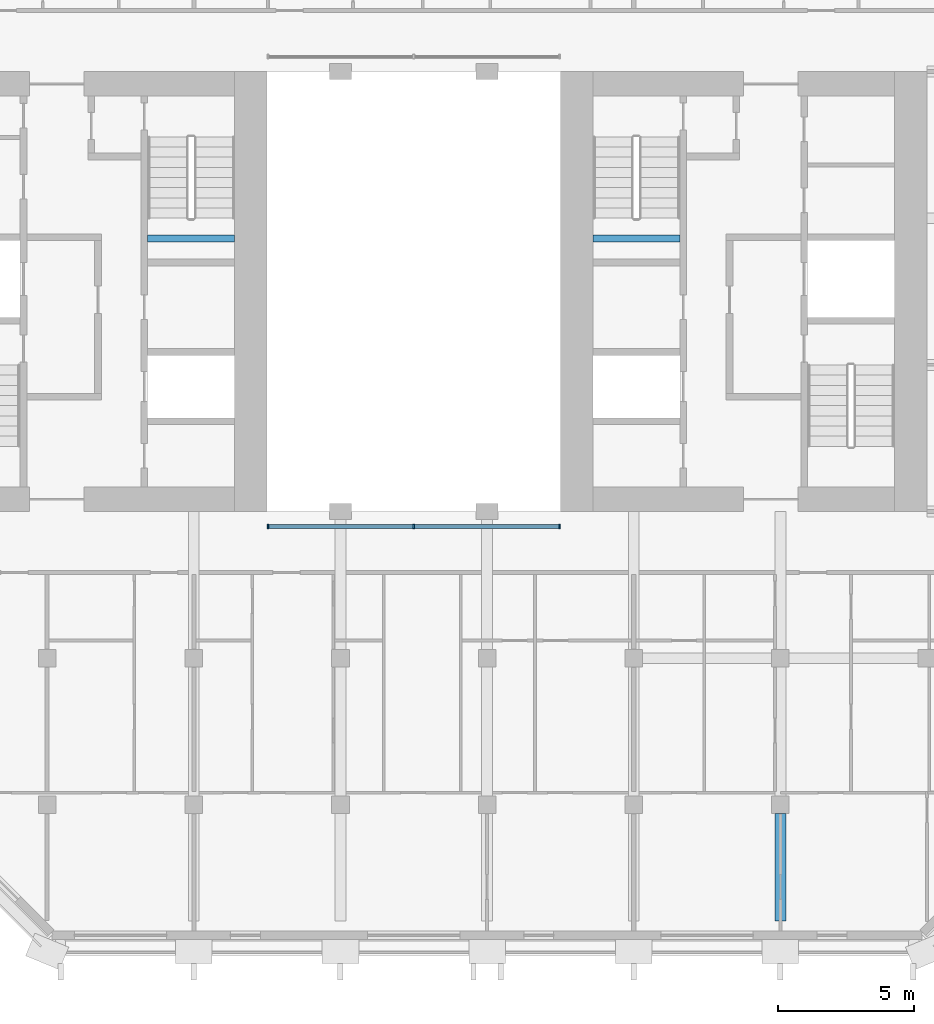
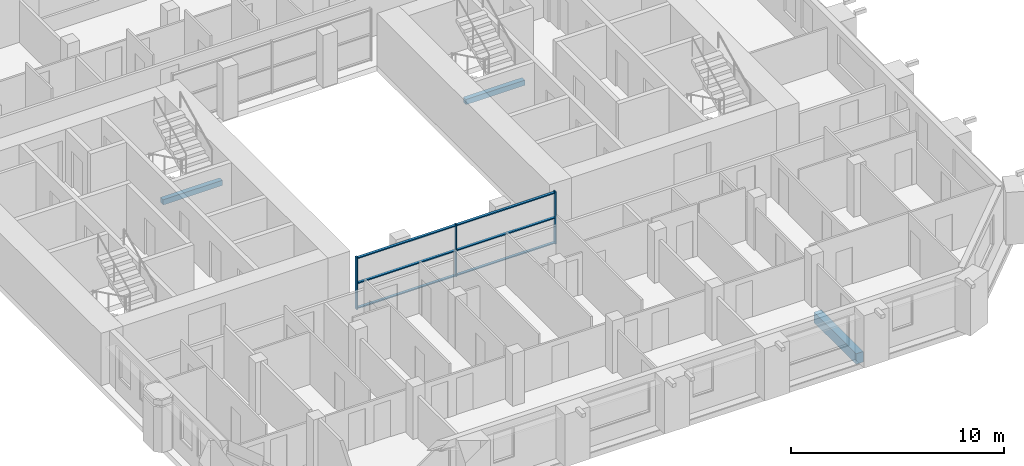
# One storey, part 2 of 14: 9 members, 3 beams, 1 element without a shape of its own.
"""IFC4 building model written with IfcOpenShell, lengths in metres."""

from ifc_helpers import new_model, si_unit, direction, frame, origin, origin_2d, place, context, subcontext, project, spatial, rectangle, extrude, material, material_profile, profile_set, type_object, element, aggregate, save


model = new_model("IFC4")

# Units and contexts
model_context = context("Model", 3, precision=1e-05, world=origin(), true_north=direction((0.0, 1.0)))
body_context = subcontext(model_context, "Body", "Model", "MODEL_VIEW")
ifc_project = project(units=[si_unit("LENGTHUNIT", "METRE"), si_unit("AREAUNIT", "SQUARE_METRE"), si_unit("VOLUMEUNIT", "CUBIC_METRE"), si_unit("PLANEANGLEUNIT", "RADIAN"), si_unit("MASSUNIT", "GRAM", prefix="KILO")], contexts=[model_context])

# Site, building, storey
site_placement = place(None, origin())
site = spatial("IfcSite", under=ifc_project, at=site_placement, CompositionType="ELEMENT")
building_placement = place(site_placement, origin())
building = spatial("IfcBuilding", under=site, at=building_placement, Name="Tabaq Tower and Sports Hall", CompositionType="ELEMENT")
storey_placement = place(building_placement, frame((0.0, 0.0, 285.10009765625)))
storey = spatial("IfcBuildingStorey", under=building, at=storey_placement, Name="L70", CompositionType="ELEMENT", Elevation=285.10009765625)

# Curtain wall, members
ifc_material_1 = material(Name="Aluminium alloy 6063-T6 framed glazing", Category="aluminium")
curtain_wall_type = type_object("IfcCurtainWallType", Name="CW1 curtain wall", PredefinedType="USERDEFINED", material=ifc_material_1)
curtain_wall_placement = place(storey_placement, origin())
curtain_wall = element("IfcCurtainWall", 1, at=curtain_wall_placement, inside=storey, type_object=curtain_wall_type, Name="Atrium glazing L70 S", ObjectType="ATRIUM ENCLOSURE", PredefinedType="USERDEFINED")
ifc_material_2 = material(Name="Aluminium alloy 6063-T6", Category="aluminium")
ifc_material_profile_1 = material_profile(ifc_material_2, rectangle(XDim=0.159912109375, YDim=0.06005859375, at=origin_2d()), Name="MULLION 160x60")
ifc_profile_set_1 = profile_set([ifc_material_profile_1], Name="Aluminium alloy 6063-T6")
member_type_1 = type_object("IfcMemberType", Name="CW1 mullion 160x60", PredefinedType="MULLION", material=ifc_profile_set_1)
member_1_placement = place(storey_placement, frame((18.929931640625, 15.64990234375, 0.0), z_axis=(0.0, 0.0, 1.0), x_axis=(0.0, 1.0, 0.0)))
member_1 = element("IfcMember", 2, at=member_1_placement, type_object=member_type_1, Name="CW1 mullion 1", PredefinedType="MULLION", context=body_context, shape_type="SweptSolid", body=[
    extrude(rectangle(XDim=0.159912109375, YDim=0.06005859375, at=origin_2d()), origin(), (0.0, 0.0, 1.0), 3.0),
])
member_2_placement = place(storey_placement, frame((24.300048828125, 15.64990234375, 0.0), z_axis=(0.0, 0.0, 1.0), x_axis=(0.0, 1.0, 0.0)))
member_2 = element("IfcMember", 3, at=member_2_placement, type_object=member_type_1, Name="CW1 mullion 2", PredefinedType="MULLION", context=body_context, shape_type="SweptSolid", body=[
    extrude(rectangle(XDim=0.159912109375, YDim=0.06005859375, at=origin_2d()), origin(), (0.0, 0.0, 1.0), 3.0),
])
member_3_placement = place(storey_placement, frame((29.669921875, 15.64990234375, 0.0), z_axis=(0.0, 0.0, 1.0), x_axis=(0.0, 1.0, 0.0)))
member_3 = element("IfcMember", 4, at=member_3_placement, type_object=member_type_1, Name="CW1 mullion 3", PredefinedType="MULLION", context=body_context, shape_type="SweptSolid", body=[
    extrude(rectangle(XDim=0.159912109375, YDim=0.06005859375, at=origin_2d()), origin(), (0.0, 0.0, 1.0), 3.0),
])
ifc_material_3 = material(Name="Aluminium alloy 6063-T6", Category="aluminium")
ifc_material_profile_2 = material_profile(ifc_material_3, rectangle(XDim=0.139892578125, YDim=0.06005859375, at=origin_2d()), Name="TRANSOM 140x60")
ifc_profile_set_2 = profile_set([ifc_material_profile_2], Name="Aluminium alloy 6063-T6")
member_type_2 = type_object("IfcMemberType", Name="CW1 transom 140x60", PredefinedType="USERDEFINED", material=ifc_profile_set_2)
member_4_placement = place(storey_placement, frame((18.9599609375, 15.64990234375, 0.06982421875), z_axis=(1.0, 0.0, 0.0), x_axis=(0.0, 1.0, 0.0)))
member_4 = element("IfcMember", 5, at=member_4_placement, type_object=member_type_2, Name="CW1 transom 1.1", ObjectType="TRANSOM", PredefinedType="USERDEFINED", context=body_context, shape_type="SweptSolid", body=[
    extrude(rectangle(XDim=0.139892578125, YDim=0.06005859375, at=origin_2d()), origin(), (0.0, 0.0, 1.0), 5.31005859375),
])
member_5_placement = place(storey_placement, frame((18.9599609375, 15.64990234375, 1.5), z_axis=(1.0, 0.0, 0.0), x_axis=(0.0, 1.0, 0.0)))
member_5 = element("IfcMember", 6, at=member_5_placement, type_object=member_type_2, Name="CW1 transom 1.2", ObjectType="TRANSOM", PredefinedType="USERDEFINED", context=body_context, shape_type="SweptSolid", body=[
    extrude(rectangle(XDim=0.139892578125, YDim=0.06005859375, at=origin_2d()), origin(), (0.0, 0.0, 1.0), 5.31005859375),
])
member_6_placement = place(storey_placement, frame((18.9599609375, 15.64990234375, 2.929931640625), z_axis=(1.0, 0.0, 0.0), x_axis=(0.0, 1.0, 0.0)))
member_6 = element("IfcMember", 7, at=member_6_placement, type_object=member_type_2, Name="CW1 transom 1.3", ObjectType="TRANSOM", PredefinedType="USERDEFINED", context=body_context, shape_type="SweptSolid", body=[
    extrude(rectangle(XDim=0.139892578125, YDim=0.06005859375, at=origin_2d()), origin(), (0.0, 0.0, 1.0), 5.31005859375),
])
member_7_placement = place(storey_placement, frame((24.330078125, 15.64990234375, 0.06982421875), z_axis=(1.0, 0.0, 0.0), x_axis=(0.0, 1.0, 0.0)))
member_7 = element("IfcMember", 8, at=member_7_placement, type_object=member_type_2, Name="CW1 transom 2.1", ObjectType="TRANSOM", PredefinedType="USERDEFINED", context=body_context, shape_type="SweptSolid", body=[
    extrude(rectangle(XDim=0.139892578125, YDim=0.06005859375, at=origin_2d()), origin(), (0.0, 0.0, 1.0), 5.309814453125),
])
member_8_placement = place(storey_placement, frame((24.330078125, 15.64990234375, 1.5), z_axis=(1.0, 0.0, 0.0), x_axis=(0.0, 1.0, 0.0)))
member_8 = element("IfcMember", 9, at=member_8_placement, type_object=member_type_2, Name="CW1 transom 2.2", ObjectType="TRANSOM", PredefinedType="USERDEFINED", context=body_context, shape_type="SweptSolid", body=[
    extrude(rectangle(XDim=0.139892578125, YDim=0.06005859375, at=origin_2d()), origin(), (0.0, 0.0, 1.0), 5.309814453125),
])
member_9_placement = place(storey_placement, frame((24.330078125, 15.64990234375, 2.929931640625), z_axis=(1.0, 0.0, 0.0), x_axis=(0.0, 1.0, 0.0)))
member_9 = element("IfcMember", 10, at=member_9_placement, type_object=member_type_2, Name="CW1 transom 2.3", ObjectType="TRANSOM", PredefinedType="USERDEFINED", context=body_context, shape_type="SweptSolid", body=[
    extrude(rectangle(XDim=0.139892578125, YDim=0.06005859375, at=origin_2d()), origin(), (0.0, 0.0, 1.0), 5.309814453125),
])
aggregate(curtain_wall, [member_1, member_2, member_3, member_4, member_5, member_6, member_7, member_8, member_9])

# Beams
ifc_material_4 = material(Name="Concrete C40/50", Category="concrete")
ifc_material_profile_3 = material_profile(ifc_material_4, rectangle(XDim=0.39990234375, YDim=0.60009765625, at=origin_2d()), Name="CB 400x600")
ifc_profile_set_3 = profile_set([ifc_material_profile_3], Name="Concrete C40/50")
beam_type_1 = type_object("IfcBeamType", Name="PT CANTILEVER BEAM CB 400x600 C40/50", PredefinedType="BEAM", material=ifc_profile_set_3)
beam_1_placement = place(storey_placement, frame((37.800048828125, 1.125, -0.60009765625), z_axis=(0.0, 1.0, 0.0), x_axis=(-1.0, 0.0, 0.0)))
element("IfcBeam", 11, at=beam_1_placement, inside=storey, type_object=beam_type_1, Name="Cantilever Beam L70 S7 span 1", PredefinedType="BEAM", context=body_context, shape_type="SweptSolid", body=[
    extrude(rectangle(XDim=0.39990234375, YDim=0.60009765625, at=origin_2d()), origin(), (0.0, 0.0, 1.0), 3.949951171875),
])
ifc_material_5 = material(Name="Concrete C40/50", Category="concrete")
ifc_material_profile_4 = material_profile(ifc_material_5, rectangle(XDim=0.25, YDim=0.300048828125, at=origin_2d()), Name="RC 250x300")
ifc_profile_set_4 = profile_set([ifc_material_profile_4], Name="Concrete C40/50")
beam_type_2 = type_object("IfcBeamType", Name="Stair landing beam 250x300", PredefinedType="BEAM", material=ifc_profile_set_4)
beam_2_placement = place(storey_placement, frame((14.5, 26.25, 1.2998046875), z_axis=(1.0, 0.0, 0.0), x_axis=(0.0, 1.0, 0.0)))
element("IfcBeam", 12, at=beam_2_placement, inside=storey, type_object=beam_type_2, Name="L70 ST2 landing beam 1", PredefinedType="BEAM", context=body_context, shape_type="SweptSolid", body=[
    extrude(rectangle(XDim=0.25, YDim=0.300048828125, at=origin_2d()), origin(), (0.0, 0.0, 1.0), 3.199951171875),
])
beam_3_placement = place(storey_placement, frame((30.89990234375, 26.25, 1.2998046875), z_axis=(1.0, 0.0, 0.0), x_axis=(0.0, 1.0, 0.0)))
element("IfcBeam", 13, at=beam_3_placement, inside=storey, type_object=beam_type_2, Name="L70 ST4 landing beam 1", PredefinedType="BEAM", context=body_context, shape_type="SweptSolid", body=[
    extrude(rectangle(XDim=0.25, YDim=0.300048828125, at=origin_2d()), origin(), (0.0, 0.0, 1.0), 3.2001953125),
])

save(model, "model.ifc")
